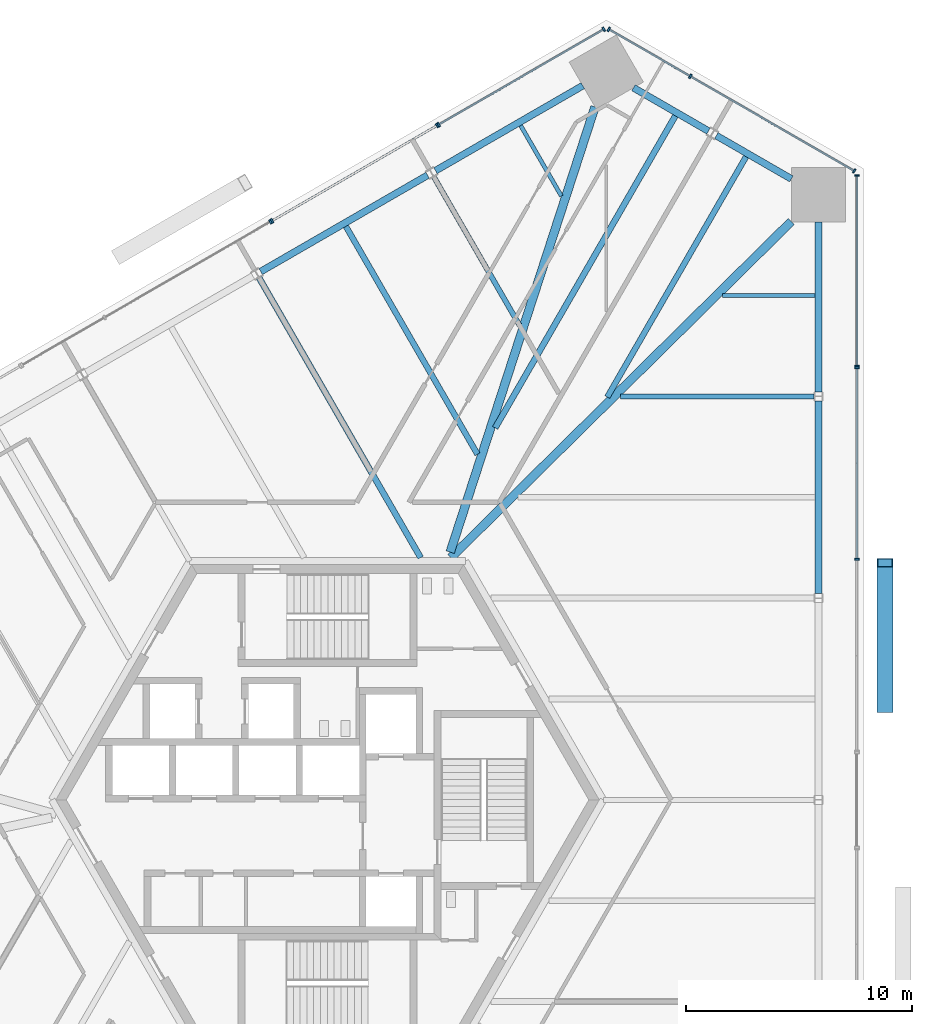
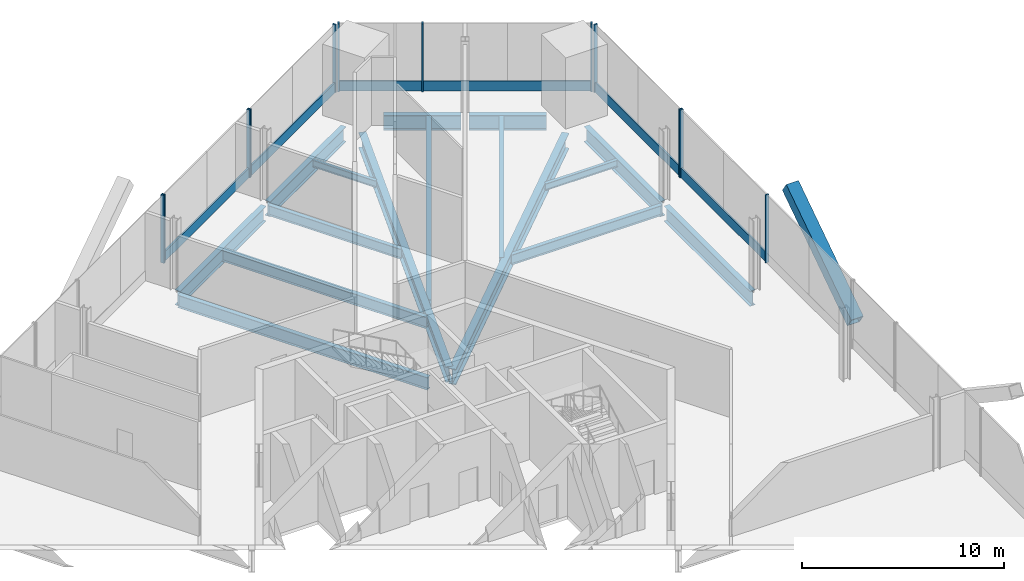
# One storey, part 8 of 16: 19 members, 16 beams, 6 elements without a shape of their own.
"""IFC4 building model written with IfcOpenShell, lengths in metres."""

from ifc_helpers import new_model, si_unit, direction, frame, origin, origin_2d, place, context, subcontext, project, spatial, rectangle, hollow_rectangle, i_section, extrude, source, transform, mapped, material, material_profile, profile_set, type_object, element, aggregate, save


model = new_model("IFC4")

# Units and contexts
model_context = context("Model", 3, precision=1e-05, world=origin(), true_north=direction((0.0, 1.0)))
body_context = subcontext(model_context, "Body", "Model", "MODEL_VIEW")
ifc_project = project(units=[si_unit("LENGTHUNIT", "METRE"), si_unit("AREAUNIT", "SQUARE_METRE"), si_unit("VOLUMEUNIT", "CUBIC_METRE"), si_unit("PLANEANGLEUNIT", "RADIAN"), si_unit("MASSUNIT", "GRAM", prefix="KILO")], contexts=[model_context])

# Site, building, storey
site_placement = place(None, origin())
site = spatial("IfcSite", under=ifc_project, at=site_placement, CompositionType="ELEMENT")
building_placement = place(site_placement, origin())
building = spatial("IfcBuilding", under=site, at=building_placement, Name="Triune Harvest Tower", CompositionType="ELEMENT")
storey_placement = place(building_placement, frame((0.0, 0.0, 37.5)))
storey = spatial("IfcBuildingStorey", under=building, at=storey_placement, Name="L08", CompositionType="ELEMENT", Elevation=37.5)

# Beams
ifc_material_1 = material(Name="Steel ASTM A992 Gr 50", Category="steel")
ifc_material_profile_1 = material_profile(ifc_material_1, i_section(OverallWidth=0.383544921875, OverallDepth=0.9423828125, WebThickness=0.022216796875, FlangeThickness=0.039794921875, at=origin_2d()), Name="W36x232")
ifc_profile_set_1 = profile_set([ifc_material_profile_1], Name="Steel ASTM A992 Gr 50")
beam_type_1 = type_object("IfcBeamType", Name="HG-1 Hip girder W36x232", PredefinedType="BEAM", material=ifc_profile_set_1)
shared_shape_1 = source(origin(), body_context, "Body", "SweptSolid", [
    extrude(i_section(OverallWidth=0.383544921875, OverallDepth=0.9423828125, WebThickness=0.022216796875, FlangeThickness=0.039794921875, at=origin_2d()), origin(), (0.0, 0.0, 1.0), 21.132568359375),
])
beam_1_placement = place(storey_placement, frame((20.4794921875, 25.545166015625, -0.671142578125), z_axis=(-0.711563602244, -0.7026216905, 0.0), x_axis=(0.7026216905, -0.711563602244, 0.0)))
element("IfcBeam", 1, at=beam_1_placement, inside=storey, type_object=beam_type_1, Name="beam/L08/HG2", PredefinedType="BEAM", context=body_context, shape_type="MappedRepresentation", body=[
    mapped(shared_shape_1, transform((0.0, 0.0, 0.0), scale=1.0)),
])
shared_shape_2 = source(origin(), body_context, "Body", "SweptSolid", [
    extrude(i_section(OverallWidth=0.383544921875, OverallDepth=0.9423828125, WebThickness=0.022216796875, FlangeThickness=0.039794921875, at=origin_2d()), origin(), (0.0, 0.0, 1.0), 20.676025390625),
])
beam_2_placement = place(storey_placement, frame((11.809814453125, 30.6044921875, -0.671142578125), z_axis=(-0.309191000288, -0.950999960747, 0.0), x_axis=(0.950999960747, -0.309191000288, 0.0)))
element("IfcBeam", 2, at=beam_2_placement, inside=storey, type_object=beam_type_1, Name="beam/L08/HG3", PredefinedType="BEAM", context=body_context, shape_type="MappedRepresentation", body=[
    mapped(shared_shape_2, transform((0.0, 0.0, 0.0), scale=1.0)),
])
ifc_material_2 = material(Name="Steel ASTM A992 Gr 50", Category="steel")
ifc_material_profile_2 = material_profile(ifc_material_2, i_section(OverallWidth=0.2666015625, OverallDepth=0.7568359375, WebThickness=0.013916015625, FlangeThickness=0.019287109375, at=origin_2d()), Name="W30x108")
ifc_profile_set_2 = profile_set([ifc_material_profile_2], Name="Steel ASTM A992 Gr 50")
beam_type_2 = type_object("IfcBeamType", Name="JT-5 Floor joist W30x108", PredefinedType="JOIST", material=ifc_profile_set_2)
shared_shape_3 = source(origin(), body_context, "Body", "SweptSolid", [
    extrude(i_section(OverallWidth=0.2666015625, OverallDepth=0.7568359375, WebThickness=0.013916015625, FlangeThickness=0.019287109375, at=origin_2d()), origin(), (0.0, 0.0, 1.0), 14.2685546875),
])
beam_3_placement = place(storey_placement, frame((-3.02197265625, 23.053955078125, -0.57861328125), z_axis=(0.499999916269, -0.866025452127, 0.0), x_axis=(0.866025452127, 0.499999916269, 0.0)))
element("IfcBeam", 3, at=beam_3_placement, inside=storey, type_object=beam_type_2, Name="beam/L08/JT17", PredefinedType="JOIST", context=body_context, shape_type="MappedRepresentation", body=[
    mapped(shared_shape_3, transform((0.0, 0.0, 0.0), scale=1.0)),
])
ifc_material_3 = material(Name="Steel ASTM A992 Gr 50", Category="steel")
ifc_material_profile_3 = material_profile(ifc_material_3, i_section(OverallWidth=0.22900390625, OverallDepth=0.612060546875, WebThickness=0.011962890625, FlangeThickness=0.01953125, at=origin_2d()), Name="W24x84")
ifc_profile_set_3 = profile_set([ifc_material_profile_3], Name="Steel ASTM A992 Gr 50")
beam_type_3 = type_object("IfcBeamType", Name="JT-3 Floor joist W24x84", PredefinedType="JOIST", material=ifc_profile_set_3)
shared_shape_4 = source(origin(), body_context, "Body", "SweptSolid", [
    extrude(i_section(OverallWidth=0.22900390625, OverallDepth=0.612060546875, WebThickness=0.011962890625, FlangeThickness=0.01953125, at=origin_2d()), origin(), (0.0, 0.0, 1.0), 8.54736328125),
])
beam_4_placement = place(storey_placement, frame((21.476318359375, 17.820068359375, -0.506103515625), z_axis=(-1.0, 0.0, 0.0), x_axis=(0.0, -1.0, 0.0)))
element("IfcBeam", 4, at=beam_4_placement, inside=storey, type_object=beam_type_3, Name="beam/L08/JT10", PredefinedType="JOIST", context=body_context, shape_type="MappedRepresentation", body=[
    mapped(shared_shape_4, transform((0.0, 0.0, 0.0), scale=1.0)),
])
shared_shape_5 = source(origin(), body_context, "Body", "SweptSolid", [
    extrude(i_section(OverallWidth=0.22900390625, OverallDepth=0.612060546875, WebThickness=0.011962890625, FlangeThickness=0.01953125, at=origin_2d()), origin(), (0.0, 0.0, 1.0), 7.55859375),
])
beam_5_placement = place(storey_placement, frame((4.6943359375, 27.509033203125, -0.506103515625), z_axis=(0.500002049001, -0.86602422079, 0.0), x_axis=(0.86602422079, 0.500002049001, 0.0)))
element("IfcBeam", 5, at=beam_5_placement, inside=storey, type_object=beam_type_3, Name="beam/L08/JT15", PredefinedType="JOIST", context=body_context, shape_type="MappedRepresentation", body=[
    mapped(shared_shape_5, transform((0.0, 0.0, 0.0), scale=1.0)),
])
ifc_material_4 = material(Name="Steel ASTM A992 Gr 50", Category="steel")
ifc_material_profile_4 = material_profile(ifc_material_4, i_section(OverallWidth=0.3046875, OverallDepth=0.914306640625, WebThickness=0.0166015625, FlangeThickness=0.02587890625, at=origin_2d()), Name="W36x160")
ifc_profile_set_4 = profile_set([ifc_material_profile_4], Name="Steel ASTM A992 Gr 50")
beam_type_4 = type_object("IfcBeamType", Name="SB-1 Spandrel beam W36x160", PredefinedType="SPANDREL", material=ifc_profile_set_4)
shared_shape_6 = source(origin(), body_context, "Body", "SweptSolid", [
    extrude(i_section(OverallWidth=0.3046875, OverallDepth=0.914306640625, WebThickness=0.0166015625, FlangeThickness=0.02587890625, at=origin_2d()), origin(), (0.0, 0.0, 1.0), 7.508056640625),
])
beam_6_placement = place(storey_placement, frame((21.679443359375, 18.02197265625, -0.6572265625), z_axis=(0.0, 1.0, 0.0), x_axis=(-1.0, 0.0, 0.0)))
element("IfcBeam", 6, at=beam_6_placement, inside=storey, type_object=beam_type_4, Name="beam/L08/SB6", PredefinedType="SPANDREL", context=body_context, shape_type="MappedRepresentation", body=[
    mapped(shared_shape_6, transform((0.0, 0.0, 0.0), scale=1.0)),
])
shared_shape_7 = source(origin(), body_context, "Body", "SweptSolid", [
    extrude(i_section(OverallWidth=0.3046875, OverallDepth=0.914306640625, WebThickness=0.0166015625, FlangeThickness=0.02587890625, at=origin_2d()), origin(), (0.0, 0.0, 1.0), 8.50634765625),
])
beam_7_placement = place(storey_placement, frame((21.679443359375, 9.11181640625, -0.6572265625), z_axis=(0.0, 1.0, 0.0), x_axis=(-1.0, 0.0, 0.0)))
element("IfcBeam", 7, at=beam_7_placement, inside=storey, type_object=beam_type_4, Name="beam/L08/SB5", PredefinedType="SPANDREL", context=body_context, shape_type="MappedRepresentation", body=[
    mapped(shared_shape_7, transform((0.0, 0.0, 0.0), scale=1.0)),
])
shared_shape_8 = source(origin(), body_context, "Body", "SweptSolid", [
    extrude(i_section(OverallWidth=0.3046875, OverallDepth=0.914306640625, WebThickness=0.0166015625, FlangeThickness=0.02587890625, at=origin_2d()), origin(), (0.0, 0.0, 1.0), 8.506103515625),
])
beam_8_placement = place(storey_placement, frame((4.41796875, 27.583984375, -0.6572265625), z_axis=(-0.866030246746, -0.49999161165, 0.0), x_axis=(0.49999161165, -0.866030246746, 0.0)))
element("IfcBeam", 8, at=beam_8_placement, inside=storey, type_object=beam_type_4, Name="beam/L08/SB10", PredefinedType="SPANDREL", context=body_context, shape_type="MappedRepresentation", body=[
    mapped(shared_shape_8, transform((0.0, 0.0, 0.0), scale=1.0)),
])
shared_shape_9 = source(origin(), body_context, "Body", "SweptSolid", [
    extrude(i_section(OverallWidth=0.3046875, OverallDepth=0.914306640625, WebThickness=0.0166015625, FlangeThickness=0.02587890625, at=origin_2d()), origin(), (0.0, 0.0, 1.0), 3.822265625),
])
beam_9_placement = place(storey_placement, frame((20.4794921875, 27.4228515625, -0.6572265625), z_axis=(-0.866033487859, 0.499985997711, 0.0), x_axis=(-0.499985997711, -0.866033487859, 0.0)))
element("IfcBeam", 9, at=beam_9_placement, inside=storey, type_object=beam_type_4, Name="beam/L08/SB7", PredefinedType="SPANDREL", context=body_context, shape_type="MappedRepresentation", body=[
    mapped(shared_shape_9, transform((0.0, 0.0, 0.0), scale=1.0)),
])
shared_shape_10 = source(origin(), body_context, "Body", "SweptSolid", [
    extrude(i_section(OverallWidth=0.3046875, OverallDepth=0.914306640625, WebThickness=0.0166015625, FlangeThickness=0.02587890625, at=origin_2d()), origin(), (0.0, 0.0, 1.0), 3.822509765625),
])
beam_10_placement = place(storey_placement, frame((16.8193359375, 29.535888671875, -0.6572265625), z_axis=(-0.866005830769, 0.500033899925, 0.0), x_axis=(-0.500033899925, -0.866005830769, 0.0)))
element("IfcBeam", 10, at=beam_10_placement, inside=storey, type_object=beam_type_4, Name="beam/L08/SB8", PredefinedType="SPANDREL", context=body_context, shape_type="MappedRepresentation", body=[
    mapped(shared_shape_10, transform((0.0, 0.0, 0.0), scale=1.0)),
])
shared_shape_11 = source(origin(), body_context, "Body", "SweptSolid", [
    extrude(i_section(OverallWidth=0.3046875, OverallDepth=0.914306640625, WebThickness=0.0166015625, FlangeThickness=0.02587890625, at=origin_2d()), origin(), (0.0, 0.0, 1.0), 7.50830078125),
])
beam_11_placement = place(storey_placement, frame((11.27001953125, 31.5400390625, -0.6572265625), z_axis=(-0.866027474485, -0.499996413425, 0.0), x_axis=(0.499996413425, -0.866027474485, 0.0)))
element("IfcBeam", 11, at=beam_11_placement, inside=storey, type_object=beam_type_4, Name="beam/L08/SB9", PredefinedType="SPANDREL", context=body_context, shape_type="MappedRepresentation", body=[
    mapped(shared_shape_11, transform((0.0, 0.0, 0.0), scale=1.0)),
])
ifc_material_5 = material(Name="Steel ASTM A992 Gr 50", Category="steel")
ifc_material_profile_5 = material_profile(ifc_material_5, i_section(OverallWidth=0.180908203125, OverallDepth=0.41650390625, WebThickness=0.010986328125, FlangeThickness=0.01806640625, at=origin_2d()), Name="W16x57")
ifc_profile_set_5 = profile_set([ifc_material_profile_5], Name="Steel ASTM A992 Gr 50")
beam_type_5 = type_object("IfcBeamType", Name="JT-1 Floor joist W16x57", PredefinedType="JOIST", material=ifc_profile_set_5)
shared_shape_12 = source(origin(), body_context, "Body", "SweptSolid", [
    extrude(i_section(OverallWidth=0.180908203125, OverallDepth=0.41650390625, WebThickness=0.010986328125, FlangeThickness=0.01806640625, at=origin_2d()), origin(), (0.0, 0.0, 1.0), 3.599365234375),
])
beam_12_placement = place(storey_placement, frame((8.527099609375, 29.780517578125, -0.408203125), z_axis=(0.50001992892, -0.866013897511, 0.0), x_axis=(0.866013897511, 0.50001992892, 0.0)))
element("IfcBeam", 12, at=beam_12_placement, inside=storey, type_object=beam_type_5, Name="beam/L08/JT14", PredefinedType="JOIST", context=body_context, shape_type="MappedRepresentation", body=[
    mapped(shared_shape_12, transform((0.0, 0.0, 0.0), scale=1.0)),
])
shared_shape_13 = source(origin(), body_context, "Body", "SweptSolid", [
    extrude(i_section(OverallWidth=0.180908203125, OverallDepth=0.41650390625, WebThickness=0.010986328125, FlangeThickness=0.01806640625, at=origin_2d()), origin(), (0.0, 0.0, 1.0), 4.08642578125),
])
beam_13_placement = place(storey_placement, frame((21.527099609375, 22.27490234375, -0.408203125), z_axis=(-1.0, 0.0, 0.0), x_axis=(0.0, -1.0, 0.0)))
element("IfcBeam", 13, at=beam_13_placement, inside=storey, type_object=beam_type_5, Name="beam/L08/JT11", PredefinedType="JOIST", context=body_context, shape_type="MappedRepresentation", body=[
    mapped(shared_shape_13, transform((0.0, 0.0, 0.0), scale=1.0)),
])
ifc_material_6 = material(Name="Steel ASTM A992 Gr 50", Category="steel")
ifc_material_profile_6 = material_profile(ifc_material_6, i_section(OverallWidth=0.253662109375, OverallDepth=0.683349609375, WebThickness=0.012451171875, FlangeThickness=0.01904296875, at=origin_2d()), Name="W27x94")
ifc_profile_set_6 = profile_set([ifc_material_profile_6], Name="Steel ASTM A992 Gr 50")
beam_type_6 = type_object("IfcBeamType", Name="JT-4 Floor joist W27x94", PredefinedType="JOIST", material=ifc_profile_set_6)
shared_shape_14 = source(origin(), body_context, "Body", "SweptSolid", [
    extrude(i_section(OverallWidth=0.253662109375, OverallDepth=0.683349609375, WebThickness=0.012451171875, FlangeThickness=0.01904296875, at=origin_2d()), origin(), (0.0, 0.0, 1.0), 12.2509765625),
])
beam_14_placement = place(storey_placement, frame((18.479736328125, 28.4013671875, -0.54150390625), z_axis=(-0.500001335473, -0.866024632748, 0.0), x_axis=(0.866024632748, -0.500001335473, 0.0)))
element("IfcBeam", 14, at=beam_14_placement, inside=storey, type_object=beam_type_6, Name="beam/L08/JT12", PredefinedType="JOIST", context=body_context, shape_type="MappedRepresentation", body=[
    mapped(shared_shape_14, transform((0.0, 0.0, 0.0), scale=1.0)),
])
shared_shape_15 = source(origin(), body_context, "Body", "SweptSolid", [
    extrude(i_section(OverallWidth=0.2666015625, OverallDepth=0.7568359375, WebThickness=0.013916015625, FlangeThickness=0.019287109375, at=origin_2d()), origin(), (0.0, 0.0, 1.0), 15.90771484375),
])
beam_15_placement = place(storey_placement, frame((15.3564453125, 30.20458984375, -0.57861328125), z_axis=(-0.500003211559, -0.866023549582, 0.0), x_axis=(0.866023549582, -0.500003211559, 0.0)))
element("IfcBeam", 15, at=beam_15_placement, inside=storey, type_object=beam_type_2, Name="beam/L08/JT13", PredefinedType="JOIST", context=body_context, shape_type="MappedRepresentation", body=[
    mapped(shared_shape_15, transform((0.0, 0.0, 0.0), scale=1.0)),
])
shared_shape_16 = source(origin(), body_context, "Body", "SweptSolid", [
    extrude(i_section(OverallWidth=0.253662109375, OverallDepth=0.683349609375, WebThickness=0.012451171875, FlangeThickness=0.01904296875, at=origin_2d()), origin(), (0.0, 0.0, 1.0), 11.618896484375),
])
beam_16_placement = place(storey_placement, frame((0.810791015625, 25.325439453125, -0.54150390625), z_axis=(0.500008015982, -0.866020775706, 0.0), x_axis=(0.866020775706, 0.500008015982, 0.0)))
element("IfcBeam", 16, at=beam_16_placement, inside=storey, type_object=beam_type_6, Name="beam/L08/JT16", PredefinedType="JOIST", context=body_context, shape_type="MappedRepresentation", body=[
    mapped(shared_shape_16, transform((0.0, 0.0, 0.0), scale=1.0)),
])

# Member
ifc_material_7 = material(Name="Steel ASTM A572 Gr 50", Category="steel")
ifc_material_profile_7 = material_profile(ifc_material_7, hollow_rectangle(XDim=0.699951171875, YDim=0.699951171875, WallThickness=0.0400390625, at=origin_2d()), Name="Box 700x700x40")
ifc_profile_set_7 = profile_set([ifc_material_profile_7], Name="Steel ASTM A572 Gr 50")
member_type_1 = type_object("IfcMemberType", Name="BR-1 Brace Box 700x700x40", PredefinedType="BRACE", material=ifc_profile_set_7)
shared_shape_17 = source(origin(), body_context, "Body", "SweptSolid", [
    extrude(hollow_rectangle(XDim=0.699951171875, YDim=0.699951171875, WallThickness=0.0400390625, at=origin_2d()), origin(), (0.0, 0.0, 1.0), 7.728515625),
])
member_1_placement = place(storey_placement, frame((24.621337890625, 4.050048828125, 0.0), z_axis=(0.0, 0.830925953807, 0.556383014918), x_axis=(-1.0, 0.0, 0.0)))
element("IfcMember", 17, at=member_1_placement, inside=storey, type_object=member_type_1, Name="brace/B1-F1/d1/6", PredefinedType="BRACE", context=body_context, shape_type="MappedRepresentation", body=[
    mapped(shared_shape_17, transform((0.0, 0.0, 0.0), scale=1.0)),
])

# Curtain wall, members
ifc_material_8 = material(Name="Aluminium bronze anodised", Category="aluminium")
curtain_wall_type_1 = type_object("IfcCurtainWallType", Name="CW-8 Farm floor curtain wall with insulated spandrel infill", PredefinedType="NOTDEFINED", material=ifc_material_8)
curtain_wall_1_placement = place(storey_placement, origin())
curtain_wall_1 = element("IfcCurtainWall", 18, at=curtain_wall_1_placement, inside=storey, type_object=curtain_wall_type_1, Name="CW-8 B1-F1 L08 run 3001")
ifc_material_9 = material(Name="Aluminium bronze anodised", Category="aluminium")
ifc_material_profile_8 = material_profile(ifc_material_9, rectangle(XDim=0.199951171875, YDim=0.080078125, at=origin_2d()), Name="MU-3 mullion 80 x 200")
ifc_profile_set_8 = profile_set([ifc_material_profile_8], Name="Aluminium bronze anodised")
member_type_2 = type_object("IfcMemberType", Name="MU-3 mullion 80 x 200", PredefinedType="MULLION", material=ifc_profile_set_8)
shared_shape_18 = source(origin(), body_context, "Body", "SweptSolid", [
    extrude(rectangle(XDim=0.199951171875, YDim=0.080078125, at=origin_2d()), origin(), (0.0, 0.0, 1.0), 4.10009765625),
])
member_2_placement = place(storey_placement, frame((23.371337890625, 10.621826171875, 0.0), z_axis=(0.0, 0.0, 1.0), x_axis=(-1.0, 0.0, 0.0)))
member_2 = element("IfcMember", 19, at=member_2_placement, type_object=member_type_2, Name="CW-8 mullion B1-F1 3001.3", PredefinedType="MULLION", context=body_context, shape_type="MappedRepresentation", body=[
    mapped(shared_shape_18, transform((0.0, 0.0, 0.0), scale=1.0)),
])
member_3_placement = place(storey_placement, frame((23.371337890625, 19.079345703125, 0.0), z_axis=(0.0, 0.0, 1.0), x_axis=(-1.0, 0.0, 0.0)))
member_3 = element("IfcMember", 20, at=member_3_placement, type_object=member_type_2, Name="CW-8 mullion B1-F1 3001.5", PredefinedType="MULLION", context=body_context, shape_type="MappedRepresentation", body=[
    mapped(shared_shape_18, transform((0.0, 0.0, 0.0), scale=1.0)),
])

ifc_material_10 = material(Name="Aluminium bronze anodised", Category="aluminium")
curtain_wall_type_2 = type_object("IfcCurtainWallType", Name="CW-3 Farm floor curtain wall", PredefinedType="NOTDEFINED", material=ifc_material_10)
curtain_wall_2_placement = place(storey_placement, origin())
curtain_wall_2 = element("IfcCurtainWall", 21, at=curtain_wall_2_placement, inside=storey, type_object=curtain_wall_type_2, Name="CW-3 B1-F1 L08 run 4001")
member_4_placement = place(storey_placement, frame((23.371337890625, 19.1591796875, 0.0), z_axis=(0.0, 0.0, 1.0), x_axis=(-1.0, 0.0, 0.0)))
member_4 = element("IfcMember", 22, at=member_4_placement, type_object=member_type_2, Name="CW-3 mullion B1-F1 4001.1", PredefinedType="MULLION", context=body_context, shape_type="MappedRepresentation", body=[
    mapped(shared_shape_18, transform((0.0, 0.0, 0.0), scale=1.0)),
])
member_5_placement = place(storey_placement, frame((23.371337890625, 27.576904296875, 0.0), z_axis=(0.0, 0.0, 1.0), x_axis=(-1.0, 0.0, 0.0)))
member_5 = element("IfcMember", 23, at=member_5_placement, type_object=member_type_2, Name="CW-3 mullion B1-F1 4001.3", PredefinedType="MULLION", context=body_context, shape_type="MappedRepresentation", body=[
    mapped(shared_shape_18, transform((0.0, 0.0, 0.0), scale=1.0)),
])

curtain_wall_3_placement = place(storey_placement, origin())
curtain_wall_3 = element("IfcCurtainWall", 24, at=curtain_wall_3_placement, inside=storey, type_object=curtain_wall_type_2, Name="CW-3 B1-F2 L08 run 1")
member_6_placement = place(storey_placement, frame((23.2587890625, 27.771728515625, 0.0), z_axis=(0.0, 0.0, 1.0), x_axis=(-0.499998715149, -0.866026145592, 0.0)))
member_6 = element("IfcMember", 25, at=member_6_placement, type_object=member_type_2, Name="CW-3 mullion B1-F2 1.1", PredefinedType="MULLION", context=body_context, shape_type="MappedRepresentation", body=[
    mapped(shared_shape_18, transform((0.0, 0.0, 0.0), scale=1.0)),
])
member_7_placement = place(storey_placement, frame((16.0224609375, 31.94970703125, 0.0), z_axis=(0.0, 0.0, 1.0), x_axis=(-0.499998715149, -0.866026145592, 0.0)))
member_7 = element("IfcMember", 26, at=member_7_placement, type_object=member_type_2, Name="CW-3 mullion B1-F2 1.3", PredefinedType="MULLION", context=body_context, shape_type="MappedRepresentation", body=[
    mapped(shared_shape_18, transform((0.0, 0.0, 0.0), scale=1.0)),
])
member_8_placement = place(storey_placement, frame((12.421630859375, 34.028564453125, 0.0), z_axis=(0.0, 0.0, 1.0), x_axis=(-0.499998715149, -0.866026145592, 0.0)))
member_8 = element("IfcMember", 27, at=member_8_placement, type_object=member_type_2, Name="CW-3 mullion B1-F2 1.4", PredefinedType="MULLION", context=body_context, shape_type="MappedRepresentation", body=[
    mapped(shared_shape_18, transform((0.0, 0.0, 0.0), scale=1.0)),
])

curtain_wall_4_placement = place(storey_placement, origin())
curtain_wall_4 = element("IfcCurtainWall", 28, at=curtain_wall_4_placement, inside=storey, type_object=curtain_wall_type_2, Name="CW-3 B1-F3 L08 run 1")
member_9_placement = place(storey_placement, frame((12.196533203125, 34.028564453125, 0.0), z_axis=(0.0, 0.0, 1.0), x_axis=(0.499995239328, -0.866028152342, 0.0)))
member_9 = element("IfcMember", 29, at=member_9_placement, type_object=member_type_2, Name="CW-3 mullion B1-F3 1.1", PredefinedType="MULLION", context=body_context, shape_type="MappedRepresentation", body=[
    mapped(shared_shape_18, transform((0.0, 0.0, 0.0), scale=1.0)),
])
member_10_placement = place(storey_placement, frame((4.90673828125, 29.81982421875, 0.0), z_axis=(0.0, 0.0, 1.0), x_axis=(0.499995239328, -0.866028152342, 0.0)))
member_10 = element("IfcMember", 30, at=member_10_placement, type_object=member_type_2, Name="CW-3 mullion B1-F3 1.3", PredefinedType="MULLION", context=body_context, shape_type="MappedRepresentation", body=[
    mapped(shared_shape_18, transform((0.0, 0.0, 0.0), scale=1.0)),
])

curtain_wall_5_placement = place(storey_placement, origin())
curtain_wall_5 = element("IfcCurtainWall", 31, at=curtain_wall_5_placement, inside=storey, type_object=curtain_wall_type_1, Name="CW-8 B1-F3 L08 run 1001")
member_11_placement = place(storey_placement, frame((4.83740234375, 29.77978515625, 0.0), z_axis=(0.0, 0.0, 1.0), x_axis=(0.500007005209, -0.866021359287, 0.0)))
member_11 = element("IfcMember", 32, at=member_11_placement, type_object=member_type_2, Name="CW-8 mullion B1-F3 1001.1", PredefinedType="MULLION", context=body_context, shape_type="MappedRepresentation", body=[
    mapped(shared_shape_18, transform((0.0, 0.0, 0.0), scale=1.0)),
])
member_12_placement = place(storey_placement, frame((-2.4521484375, 25.571044921875, 0.0), z_axis=(0.0, 0.0, 1.0), x_axis=(0.500007005209, -0.866021359287, 0.0)))
member_12 = element("IfcMember", 33, at=member_12_placement, type_object=member_type_2, Name="CW-8 mullion B1-F3 1001.3", PredefinedType="MULLION", context=body_context, shape_type="MappedRepresentation", body=[
    mapped(shared_shape_18, transform((0.0, 0.0, 0.0), scale=1.0)),
])

# Curtain wall, member
curtain_wall_6_placement = place(storey_placement, origin())
curtain_wall_6 = element("IfcCurtainWall", 34, at=curtain_wall_6_placement, inside=storey, type_object=curtain_wall_type_2, Name="CW-3 B1-F3 L08 run 2001")
member_13_placement = place(storey_placement, frame((-2.521484375, 25.531005859375, 0.0), z_axis=(0.0, 0.0, 1.0), x_axis=(0.499997723952, -0.866026717857, 0.0)))
member_13 = element("IfcMember", 35, at=member_13_placement, type_object=member_type_2, Name="CW-3 mullion B1-F3 2001.1", PredefinedType="MULLION", context=body_context, shape_type="MappedRepresentation", body=[
    mapped(shared_shape_18, transform((0.0, 0.0, 0.0), scale=1.0)),
])
aggregate(curtain_wall_6, [member_13])

# Member
ifc_material_11 = material(Name="Aluminium bronze anodised", Category="aluminium")
ifc_material_profile_9 = material_profile(ifc_material_11, rectangle(XDim=0.090087890625, YDim=0.60009765625, at=origin_2d()), Name="TR-3 transom 90 x 600")
ifc_profile_set_9 = profile_set([ifc_material_profile_9], Name="Aluminium bronze anodised")
member_type_3 = type_object("IfcMemberType", Name="TR-3 transom 90 x 600", PredefinedType="USERDEFINED", material=ifc_profile_set_9)
shared_shape_19 = source(origin(), body_context, "Body", "SweptSolid", [
    extrude(rectangle(XDim=0.090087890625, YDim=0.60009765625, at=origin_2d()), origin(), (0.0, 0.0, 1.0), 8.27587890625),
])
member_14_placement = place(storey_placement, frame((23.22412109375, 27.791748046875, 0.300048828125), z_axis=(-0.866021501281, 0.500006759273, 0.0), x_axis=(-0.500006759273, -0.866021501281, 0.0)))
member_14 = element("IfcMember", 36, at=member_14_placement, type_object=member_type_3, Name="CW-3 transom B1-F2 1.1", ObjectType="TRANSOM", PredefinedType="USERDEFINED", context=body_context, shape_type="MappedRepresentation", body=[
    mapped(shared_shape_19, transform((0.0, 0.0, 0.0), scale=1.0)),
])

shared_shape_20 = source(origin(), body_context, "Body", "SweptSolid", [
    extrude(rectangle(XDim=0.090087890625, YDim=0.60009765625, at=origin_2d()), origin(), (0.0, 0.0, 1.0), 4.077880859375),
])
member_15_placement = place(storey_placement, frame((15.98779296875, 31.9697265625, 0.300048828125), z_axis=(-0.866035038465, 0.499983311872, 0.0), x_axis=(-0.499983311872, -0.866035038465, 0.0)))
member_15 = element("IfcMember", 37, at=member_15_placement, type_object=member_type_3, Name="CW-3 transom B1-F2 1.2", ObjectType="TRANSOM", PredefinedType="USERDEFINED", context=body_context, shape_type="MappedRepresentation", body=[
    mapped(shared_shape_20, transform((0.0, 0.0, 0.0), scale=1.0)),
])

aggregate(curtain_wall_3, [member_6, member_7, member_8, member_14, member_15])

shared_shape_21 = source(origin(), body_context, "Body", "SweptSolid", [
    extrude(rectangle(XDim=0.090087890625, YDim=0.60009765625, at=origin_2d()), origin(), (0.0, 0.0, 1.0), 8.37744140625),
])
member_16_placement = place(storey_placement, frame((23.371337890625, 10.661865234375, 0.300048828125), z_axis=(0.0, 1.0, 0.0), x_axis=(-1.0, 0.0, 0.0)))
member_16 = element("IfcMember", 38, at=member_16_placement, type_object=member_type_3, Name="CW-8 transom B1-F1 3001.2", ObjectType="TRANSOM", PredefinedType="USERDEFINED", context=body_context, shape_type="MappedRepresentation", body=[
    mapped(shared_shape_21, transform((0.0, 0.0, 0.0), scale=1.0)),
])

aggregate(curtain_wall_1, [member_2, member_3, member_16])

shared_shape_22 = source(origin(), body_context, "Body", "SweptSolid", [
    extrude(rectangle(XDim=0.090087890625, YDim=0.60009765625, at=origin_2d()), origin(), (0.0, 0.0, 1.0), 8.337646484375),
])
member_17_placement = place(storey_placement, frame((23.371337890625, 19.19921875, 0.300048828125), z_axis=(0.0, 1.0, 0.0), x_axis=(-1.0, 0.0, 0.0)))
member_17 = element("IfcMember", 39, at=member_17_placement, type_object=member_type_3, Name="CW-3 transom B1-F1 4001.1", ObjectType="TRANSOM", PredefinedType="USERDEFINED", context=body_context, shape_type="MappedRepresentation", body=[
    mapped(shared_shape_22, transform((0.0, 0.0, 0.0), scale=1.0)),
])

aggregate(curtain_wall_2, [member_4, member_5, member_17])

member_18_placement = place(storey_placement, frame((4.802734375, 29.760009765625, 0.300048828125), z_axis=(-0.866014425836, -0.500019013882, 0.0), x_axis=(0.500019013882, -0.866014425836, 0.0)))
member_18 = element("IfcMember", 40, at=member_18_placement, type_object=member_type_3, Name="CW-8 transom B1-F3 1001.1", ObjectType="TRANSOM", PredefinedType="USERDEFINED", context=body_context, shape_type="MappedRepresentation", body=[
    mapped(shared_shape_22, transform((0.0, 0.0, 0.0), scale=1.0)),
])

aggregate(curtain_wall_5, [member_11, member_12, member_18])

shared_shape_23 = source(origin(), body_context, "Body", "SweptSolid", [
    extrude(rectangle(XDim=0.090087890625, YDim=0.60009765625, at=origin_2d()), origin(), (0.0, 0.0, 1.0), 8.33740234375),
])
member_19_placement = place(storey_placement, frame((12.161865234375, 34.008544921875, 0.300048828125), z_axis=(-0.866027105532, -0.499997052475, 0.0), x_axis=(0.499997052475, -0.866027105532, 0.0)))
member_19 = element("IfcMember", 41, at=member_19_placement, type_object=member_type_3, Name="CW-3 transom B1-F3 1.1", ObjectType="TRANSOM", PredefinedType="USERDEFINED", context=body_context, shape_type="MappedRepresentation", body=[
    mapped(shared_shape_23, transform((0.0, 0.0, 0.0), scale=1.0)),
])

aggregate(curtain_wall_4, [member_9, member_10, member_19])

save(model, "model.ifc")
